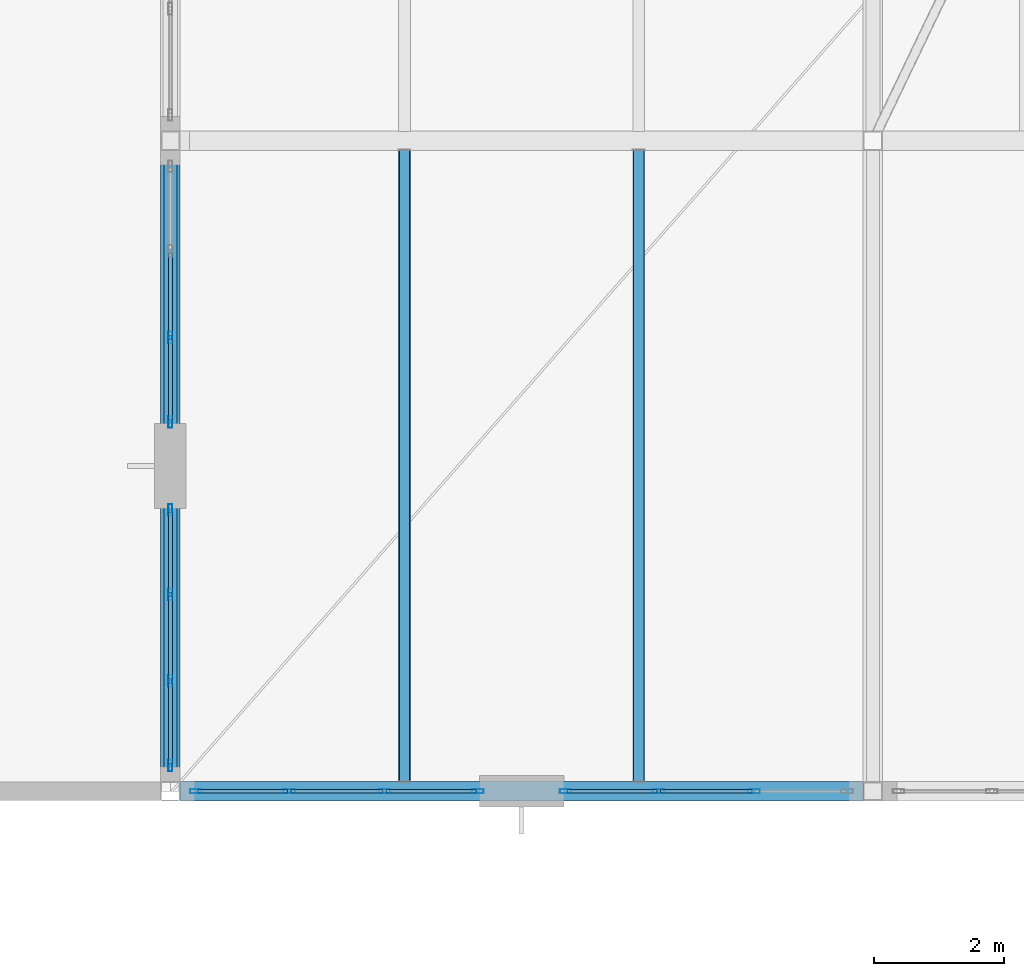
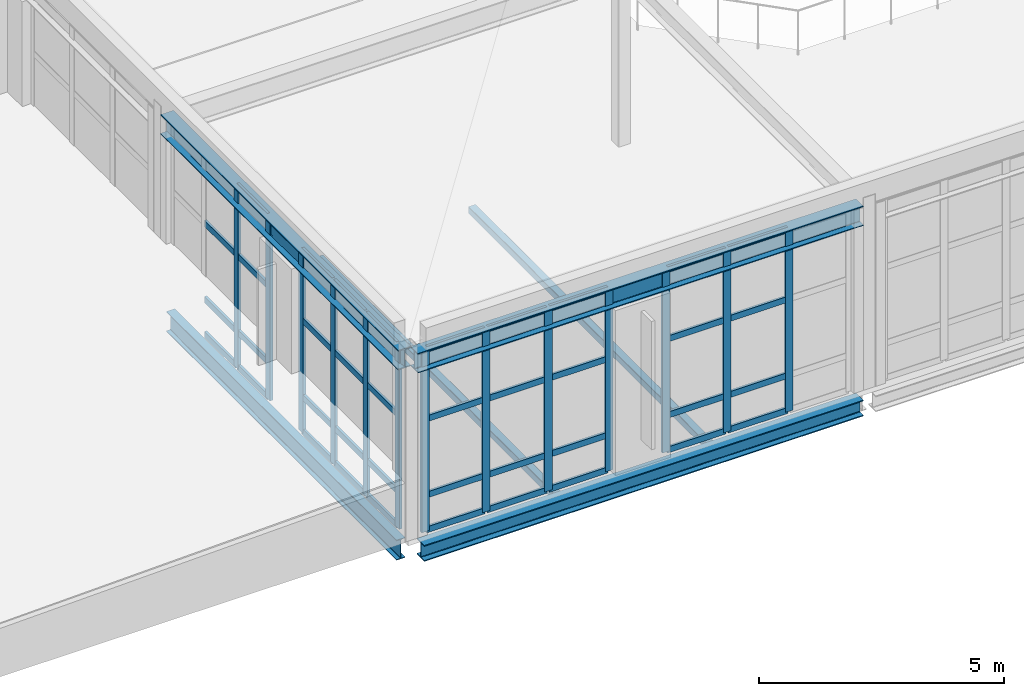
# One storey, part 11 of 86: 52 members, 6 beams, 4 elements without a shape of their own.
"""IFC4 building model written with IfcOpenShell, lengths in metres."""

from ifc_helpers import new_model, si_unit, direction, frame, origin, origin_2d, place, context, subcontext, project, spatial, hollow_rectangle, i_section, extrude, material, layer, layer_set, material_profile, profile_set, type_object, element, aggregate, save


model = new_model("IFC4")

# Units and contexts
model_context = context("Model", 3, precision=1e-05, world=origin(), true_north=direction((0.0, 1.0)))
body_context = subcontext(model_context, "Body", "Model", "MODEL_VIEW")
ifc_project = project(units=[si_unit("LENGTHUNIT", "METRE"), si_unit("AREAUNIT", "SQUARE_METRE"), si_unit("VOLUMEUNIT", "CUBIC_METRE"), si_unit("PLANEANGLEUNIT", "RADIAN"), si_unit("MASSUNIT", "GRAM", prefix="KILO")], contexts=[model_context])

# Site, building, storey
site_placement = place(None, origin())
site = spatial("IfcSite", under=ifc_project, at=site_placement, CompositionType="ELEMENT")
building_placement = place(site_placement, origin())
building = spatial("IfcBuilding", under=site, at=building_placement, Name="Tasgan Crest Museum", CompositionType="ELEMENT")
storey_placement = place(building_placement, frame((0.0, 0.0, 24.0)))
storey = spatial("IfcBuildingStorey", under=building, at=storey_placement, Name="L04", CompositionType="ELEMENT", Elevation=24.0)

# Beams
ifc_material_1 = material(Name="Steel S355J2", Category="steel")
ifc_material_profile_1 = material_profile(ifc_material_1, i_section(OverallWidth=0.300048828125, OverallDepth=0.489990234375, WebThickness=0.011962890625, FlangeThickness=0.02294921875, FilletRadius=0.027099609375, at=origin_2d()), Name="HEA 500")
ifc_profile_set_1 = profile_set([ifc_material_profile_1], Name="Steel S355J2")
beam_type_1 = type_object("IfcBeamType", Name="BM-G-HEA500", PredefinedType="BEAM", material=ifc_profile_set_1)
beam_1_placement = place(storey_placement, frame((54.14599609375, 40.0, 4.35498046875), z_axis=(1.0, 0.0, 0.0), x_axis=(0.0, 1.0, 0.0)))
element("IfcBeam", 1, at=beam_1_placement, inside=storey, type_object=beam_type_1, Name="Winter-garden roof girder E 54.0-64.8", PredefinedType="BEAM", context=body_context, shape_type="SweptSolid", body=[
    extrude(i_section(OverallWidth=0.300048828125, OverallDepth=0.489990234375, WebThickness=0.011962890625, FlangeThickness=0.02294921875, FilletRadius=0.027099609375, at=origin_2d()), origin(), (0.0, 0.0, 1.0), 10.508056640625),
])
beam_2_placement = place(storey_placement, frame((54.0, 40.14599609375, 4.35498046875), z_axis=(0.0, 1.0, 0.0), x_axis=(-1.0, 0.0, 0.0)))
element("IfcBeam", 2, at=beam_2_placement, inside=storey, type_object=beam_type_1, Name="Winter-garden roof beam 6 40-50", PredefinedType="BEAM", context=body_context, shape_type="SweptSolid", body=[
    extrude(i_section(OverallWidth=0.300048828125, OverallDepth=0.489990234375, WebThickness=0.011962890625, FlangeThickness=0.02294921875, FilletRadius=0.027099609375, at=origin_2d()), origin(), (0.0, 0.0, 1.0), 9.7080078125),
])
ifc_material_2 = material(Name="Steel S355J2", Category="steel")
ifc_material_profile_2 = material_profile(ifc_material_2, i_section(OverallWidth=0.300048828125, OverallDepth=0.39990234375, WebThickness=0.013427734375, FlangeThickness=0.02392578125, FilletRadius=0.027099609375, at=origin_2d()), Name="HEB 400")
ifc_profile_set_2 = profile_set([ifc_material_profile_2], Name="Steel S355J2")
beam_type_2 = type_object("IfcBeamType", Name="BM-G-HEB400", PredefinedType="BEAM", material=ifc_profile_set_2)
beam_3_placement = place(storey_placement, frame((54.2958984375, 40.0, -0.43994140625), z_axis=(1.0, 0.0, 0.0), x_axis=(0.0, 1.0, 0.0)))
element("IfcBeam", 3, at=beam_3_placement, inside=storey, type_object=beam_type_2, Name="Girder L04 E 54.0-64.8", PredefinedType="BEAM", context=body_context, shape_type="SweptSolid", body=[
    extrude(i_section(OverallWidth=0.300048828125, OverallDepth=0.39990234375, WebThickness=0.013427734375, FlangeThickness=0.02392578125, FilletRadius=0.027099609375, at=origin_2d()), origin(), (0.0, 0.0, 1.0), 10.358154296875),
])
ifc_material_3 = material(Name="Steel S355J2", Category="steel")
ifc_material_profile_3 = material_profile(ifc_material_3, i_section(OverallWidth=0.199951171875, OverallDepth=0.5, WebThickness=0.01025390625, FlangeThickness=0.01611328125, FilletRadius=0.02099609375, at=origin_2d()), Name="IPE 500")
ifc_profile_set_3 = profile_set([ifc_material_profile_3], Name="Steel S355J2")
beam_type_3 = type_object("IfcBeamType", Name="BM-G-IPE500", PredefinedType="BEAM", material=ifc_profile_set_3)
beam_4_placement = place(storey_placement, frame((54.0, 40.294921875, -0.489990234375), z_axis=(0.0, 1.0, 0.0), x_axis=(-1.0, 0.0, 0.0)))
element("IfcBeam", 4, at=beam_4_placement, inside=storey, type_object=beam_type_3, Name="Beam L04 6 40.0-50.0", PredefinedType="BEAM", context=body_context, shape_type="SweptSolid", body=[
    extrude(i_section(OverallWidth=0.199951171875, OverallDepth=0.5, WebThickness=0.01025390625, FlangeThickness=0.01611328125, FilletRadius=0.02099609375, at=origin_2d()), origin(), (0.0, 0.0, 1.0), 9.41015625),
])
ifc_material_4 = material(Name="Steel S355J2", Category="steel")
ifc_material_profile_4 = material_profile(ifc_material_4, hollow_rectangle(XDim=0.179931640625, YDim=0.179931640625, WallThickness=0.010009765625, InnerFilletRadius=0.010009765625, OuterFilletRadius=0.02001953125, at=origin_2d()), Name="SHS 180x180x10")
ifc_profile_set_4 = profile_set([ifc_material_profile_4], Name="Steel S355J2")
beam_type_4 = type_object("IfcBeamType", Name="BM-J-SHS180", PredefinedType="JOIST", material=ifc_profile_set_4)
for number, where, z_axis, x_axis, name in (
    (5, (57.60009765625, 40.14501953125, -0.330078125), (0.0, 1.0, 0.0), (-1.0, 0.0, 0.0), "Secondary joist L04 X=57.6 Y=40.0-50.0"),
    (6, (61.199951171875, 40.14501953125, -0.330078125), (0.0, 1.0, 0.0), (-1.0, 0.0, 0.0), "Secondary joist L04 X=61.2 Y=40.0-50.0"),
):
    element("IfcBeam", number, at=place(storey_placement, frame(where, z_axis=z_axis, x_axis=x_axis)), inside=storey, type_object=beam_type_4, Name=name, PredefinedType="JOIST", context=body_context, shape_type="SweptSolid", body=[
        extrude(hollow_rectangle(XDim=0.179931640625, YDim=0.179931640625, WallThickness=0.010009765625, InnerFilletRadius=0.010009765625, OuterFilletRadius=0.02001953125, at=origin_2d()), origin(), (0.0, 0.0, 1.0), 9.7099609375),
    ])

# Curtain wall, members
ifc_material_5 = material(Name="Triple-Glazed Aluminium Curtain Wall", Category="aluminium")
ifc_layer_1 = layer(ifc_material_5, 0.179931640625, Name="CW-DRUM-Y10-48")
ifc_layer_set_1 = layer_set([ifc_layer_1], Name="Triple-Glazed Aluminium Curtain Wall")
curtain_wall_type_1 = type_object("IfcCurtainWallType", Name="CW-DRUM-Y10-48", PredefinedType="NOTDEFINED", material=ifc_layer_set_1)
curtain_wall_1_placement = place(storey_placement, origin())
curtain_wall_1 = element("IfcCurtainWall", 7, at=curtain_wall_1_placement, inside=storey, type_object=curtain_wall_type_1, Name="Curtain wall L04 183", PredefinedType="NOTDEFINED")
ifc_material_6 = material(Name="Anodised Aluminium", Category="aluminium")
ifc_material_profile_5 = material_profile(ifc_material_6, hollow_rectangle(XDim=0.06494140625, YDim=0.179931640625, WallThickness=0.0048828125, at=origin_2d()), Name="ALU MULLION 180x65x5")
ifc_profile_set_5 = profile_set([ifc_material_profile_5], Name="Anodised Aluminium")
member_type_1 = type_object("IfcMemberType", Name="CW-MULLION-180", PredefinedType="MULLION", material=ifc_profile_set_5)
member_1_placement = place(storey_placement, frame((54.0, 46.97509765625, 0.0), z_axis=(0.0, 0.0, 1.0), x_axis=(1.0, 0.0, 0.0)))
member_1 = element("IfcMember", 8, at=member_1_placement, type_object=member_type_1, Name="CW04 mullion 3", PredefinedType="MULLION", context=body_context, shape_type="SweptSolid", body=[
    extrude(hollow_rectangle(XDim=0.06494140625, YDim=0.179931640625, WallThickness=0.0048828125, at=origin_2d()), origin(), (0.0, 0.0, 1.0), 4.56005859375),
])
member_2_placement = place(storey_placement, frame((54.0, 45.675048828125, 0.0), z_axis=(0.0, 0.0, 1.0), x_axis=(1.0, 0.0, 0.0)))
member_2 = element("IfcMember", 9, at=member_2_placement, type_object=member_type_1, Name="CW04 mullion 4", PredefinedType="MULLION", context=body_context, shape_type="SweptSolid", body=[
    extrude(hollow_rectangle(XDim=0.06494140625, YDim=0.179931640625, WallThickness=0.0048828125, at=origin_2d()), origin(), (0.0, 0.0, 1.0), 4.56005859375),
])

curtain_wall_2_placement = place(storey_placement, origin())
curtain_wall_2 = element("IfcCurtainWall", 10, at=curtain_wall_2_placement, inside=storey, type_object=curtain_wall_type_1, Name="Curtain wall L04 184", PredefinedType="NOTDEFINED")
member_3_placement = place(storey_placement, frame((54.0, 44.324951171875, 0.0), z_axis=(0.0, 0.0, 1.0), x_axis=(1.0, 0.0, 0.0)))
member_3 = element("IfcMember", 11, at=member_3_placement, type_object=member_type_1, Name="CW04 mullion 1", PredefinedType="MULLION", context=body_context, shape_type="SweptSolid", body=[
    extrude(hollow_rectangle(XDim=0.06494140625, YDim=0.179931640625, WallThickness=0.0048828125, at=origin_2d()), origin(), (0.0, 0.0, 1.0), 4.56005859375),
])
member_4_placement = place(storey_placement, frame((54.0, 43.02490234375, 0.0), z_axis=(0.0, 0.0, 1.0), x_axis=(1.0, 0.0, 0.0)))
member_4 = element("IfcMember", 12, at=member_4_placement, type_object=member_type_1, Name="CW04 mullion 2", PredefinedType="MULLION", context=body_context, shape_type="SweptSolid", body=[
    extrude(hollow_rectangle(XDim=0.06494140625, YDim=0.179931640625, WallThickness=0.0048828125, at=origin_2d()), origin(), (0.0, 0.0, 1.0), 4.56005859375),
])
member_5_placement = place(storey_placement, frame((54.0, 41.695068359375, 0.0), z_axis=(0.0, 0.0, 1.0), x_axis=(1.0, 0.0, 0.0)))
member_5 = element("IfcMember", 13, at=member_5_placement, type_object=member_type_1, Name="CW04 mullion 3", PredefinedType="MULLION", context=body_context, shape_type="SweptSolid", body=[
    extrude(hollow_rectangle(XDim=0.06494140625, YDim=0.179931640625, WallThickness=0.0048828125, at=origin_2d()), origin(), (0.0, 0.0, 1.0), 4.56005859375),
])
member_6_placement = place(storey_placement, frame((54.0, 40.39501953125, 0.0), z_axis=(0.0, 0.0, 1.0), x_axis=(1.0, 0.0, 0.0)))
member_6 = element("IfcMember", 14, at=member_6_placement, type_object=member_type_1, Name="CW04 mullion 4", PredefinedType="MULLION", context=body_context, shape_type="SweptSolid", body=[
    extrude(hollow_rectangle(XDim=0.06494140625, YDim=0.179931640625, WallThickness=0.0048828125, at=origin_2d()), origin(), (0.0, 0.0, 1.0), 4.56005859375),
])

ifc_material_7 = material(Name="Triple-Glazed Aluminium Curtain Wall", Category="aluminium")
ifc_layer_2 = layer(ifc_material_7, 0.179931640625, Name="CW-DRUM-X-48")
ifc_layer_set_2 = layer_set([ifc_layer_2], Name="Triple-Glazed Aluminium Curtain Wall")
curtain_wall_type_2 = type_object("IfcCurtainWallType", Name="CW-DRUM-X-48", PredefinedType="NOTDEFINED", material=ifc_layer_set_2)
curtain_wall_3_placement = place(storey_placement, origin())
curtain_wall_3 = element("IfcCurtainWall", 15, at=curtain_wall_3_placement, inside=storey, type_object=curtain_wall_type_2, Name="Curtain wall L04 185", PredefinedType="NOTDEFINED")
member_7_placement = place(storey_placement, frame((54.39501953125, 40.0, 0.0), z_axis=(0.0, 0.0, 1.0), x_axis=(0.0, 1.0, 0.0)))
member_7 = element("IfcMember", 16, at=member_7_placement, type_object=member_type_1, Name="CW03 mullion 1", PredefinedType="MULLION", context=body_context, shape_type="SweptSolid", body=[
    extrude(hollow_rectangle(XDim=0.06494140625, YDim=0.179931640625, WallThickness=0.0048828125, at=origin_2d()), origin(), (0.0, 0.0, 1.0), 4.56005859375),
])
member_8_placement = place(storey_placement, frame((55.828369140625, 40.0, 0.0), z_axis=(0.0, 0.0, 1.0), x_axis=(0.0, 1.0, 0.0)))
member_8 = element("IfcMember", 17, at=member_8_placement, type_object=member_type_1, Name="CW03 mullion 2", PredefinedType="MULLION", context=body_context, shape_type="SweptSolid", body=[
    extrude(hollow_rectangle(XDim=0.06494140625, YDim=0.179931640625, WallThickness=0.0048828125, at=origin_2d()), origin(), (0.0, 0.0, 1.0), 4.56005859375),
])
member_9_placement = place(storey_placement, frame((57.291748046875, 40.0, 0.0), z_axis=(0.0, 0.0, 1.0), x_axis=(0.0, 1.0, 0.0)))
member_9 = element("IfcMember", 18, at=member_9_placement, type_object=member_type_1, Name="CW03 mullion 3", PredefinedType="MULLION", context=body_context, shape_type="SweptSolid", body=[
    extrude(hollow_rectangle(XDim=0.06494140625, YDim=0.179931640625, WallThickness=0.0048828125, at=origin_2d()), origin(), (0.0, 0.0, 1.0), 4.56005859375),
])
member_10_placement = place(storey_placement, frame((58.72509765625, 40.0, 0.0), z_axis=(0.0, 0.0, 1.0), x_axis=(0.0, 1.0, 0.0)))
member_10 = element("IfcMember", 19, at=member_10_placement, type_object=member_type_1, Name="CW03 mullion 4", PredefinedType="MULLION", context=body_context, shape_type="SweptSolid", body=[
    extrude(hollow_rectangle(XDim=0.06494140625, YDim=0.179931640625, WallThickness=0.0048828125, at=origin_2d()), origin(), (0.0, 0.0, 1.0), 4.56005859375),
])

curtain_wall_4_placement = place(storey_placement, origin())
curtain_wall_4 = element("IfcCurtainWall", 20, at=curtain_wall_4_placement, inside=storey, type_object=curtain_wall_type_2, Name="Curtain wall L04 186", PredefinedType="NOTDEFINED")
member_11_placement = place(storey_placement, frame((60.074951171875, 40.0, 0.0), z_axis=(0.0, 0.0, 1.0), x_axis=(0.0, 1.0, 0.0)))
member_11 = element("IfcMember", 21, at=member_11_placement, type_object=member_type_1, Name="CW03 mullion 1", PredefinedType="MULLION", context=body_context, shape_type="SweptSolid", body=[
    extrude(hollow_rectangle(XDim=0.06494140625, YDim=0.179931640625, WallThickness=0.0048828125, at=origin_2d()), origin(), (0.0, 0.0, 1.0), 4.56005859375),
])
member_12_placement = place(storey_placement, frame((61.50830078125, 40.0, 0.0), z_axis=(0.0, 0.0, 1.0), x_axis=(0.0, 1.0, 0.0)))
member_12 = element("IfcMember", 22, at=member_12_placement, type_object=member_type_1, Name="CW03 mullion 2", PredefinedType="MULLION", context=body_context, shape_type="SweptSolid", body=[
    extrude(hollow_rectangle(XDim=0.06494140625, YDim=0.179931640625, WallThickness=0.0048828125, at=origin_2d()), origin(), (0.0, 0.0, 1.0), 4.56005859375),
])
member_13_placement = place(storey_placement, frame((62.9716796875, 40.0, 0.0), z_axis=(0.0, 0.0, 1.0), x_axis=(0.0, 1.0, 0.0)))
member_13 = element("IfcMember", 23, at=member_13_placement, type_object=member_type_1, Name="CW03 mullion 3", PredefinedType="MULLION", context=body_context, shape_type="SweptSolid", body=[
    extrude(hollow_rectangle(XDim=0.06494140625, YDim=0.179931640625, WallThickness=0.0048828125, at=origin_2d()), origin(), (0.0, 0.0, 1.0), 4.56005859375),
])

# Member
ifc_material_8 = material(Name="Anodised Aluminium", Category="aluminium")
ifc_material_profile_6 = material_profile(ifc_material_8, hollow_rectangle(XDim=0.06005859375, YDim=0.14990234375, WallThickness=0.0048828125, at=origin_2d()), Name="ALU TRANSOM 150x60x5")
ifc_profile_set_6 = profile_set([ifc_material_profile_6], Name="Anodised Aluminium")
member_type_2 = type_object("IfcMemberType", Name="CW-TRANSOM-150", PredefinedType="USERDEFINED", material=ifc_profile_set_6)
member_14_placement = place(storey_placement, frame((54.0, 48.27490234375, 0.030029296875), z_axis=(0.0, -1.0, 0.0), x_axis=(1.0, 0.0, 0.0)))
member_14 = element("IfcMember", 24, at=member_14_placement, type_object=member_type_2, Name="CW04 transom 2.1", ObjectType="TRANSOM", PredefinedType="USERDEFINED", context=body_context, shape_type="SweptSolid", body=[
    extrude(hollow_rectangle(XDim=0.06005859375, YDim=0.14990234375, WallThickness=0.0048828125, at=origin_2d()), origin(), (0.0, 0.0, 1.0), 1.27001953125),
])

member_15_placement = place(storey_placement, frame((54.0, 48.27490234375, 0.89990234375), z_axis=(0.0, -1.0, 0.0), x_axis=(1.0, 0.0, 0.0)))
member_15 = element("IfcMember", 25, at=member_15_placement, type_object=member_type_2, Name="CW04 transom 2.2", ObjectType="TRANSOM", PredefinedType="USERDEFINED", context=body_context, shape_type="SweptSolid", body=[
    extrude(hollow_rectangle(XDim=0.06005859375, YDim=0.14990234375, WallThickness=0.0048828125, at=origin_2d()), origin(), (0.0, 0.0, 1.0), 1.27001953125),
])

member_16_placement = place(storey_placement, frame((54.0, 48.27490234375, 2.800048828125), z_axis=(0.0, -1.0, 0.0), x_axis=(1.0, 0.0, 0.0)))
member_16 = element("IfcMember", 26, at=member_16_placement, type_object=member_type_2, Name="CW04 transom 2.3", ObjectType="TRANSOM", PredefinedType="USERDEFINED", context=body_context, shape_type="SweptSolid", body=[
    extrude(hollow_rectangle(XDim=0.06005859375, YDim=0.14990234375, WallThickness=0.0048828125, at=origin_2d()), origin(), (0.0, 0.0, 1.0), 1.27001953125),
])

member_17_placement = place(storey_placement, frame((54.0, 46.945068359375, 0.030029296875), z_axis=(0.0, -1.0, 0.0), x_axis=(1.0, 0.0, 0.0)))
member_17 = element("IfcMember", 27, at=member_17_placement, type_object=member_type_2, Name="CW04 transom 3.1", ObjectType="TRANSOM", PredefinedType="USERDEFINED", context=body_context, shape_type="SweptSolid", body=[
    extrude(hollow_rectangle(XDim=0.06005859375, YDim=0.14990234375, WallThickness=0.0048828125, at=origin_2d()), origin(), (0.0, 0.0, 1.0), 1.239990234375),
])

member_18_placement = place(storey_placement, frame((54.0, 46.945068359375, 0.89990234375), z_axis=(0.0, -1.0, 0.0), x_axis=(1.0, 0.0, 0.0)))
member_18 = element("IfcMember", 28, at=member_18_placement, type_object=member_type_2, Name="CW04 transom 3.2", ObjectType="TRANSOM", PredefinedType="USERDEFINED", context=body_context, shape_type="SweptSolid", body=[
    extrude(hollow_rectangle(XDim=0.06005859375, YDim=0.14990234375, WallThickness=0.0048828125, at=origin_2d()), origin(), (0.0, 0.0, 1.0), 1.239990234375),
])

member_19_placement = place(storey_placement, frame((54.0, 46.945068359375, 2.800048828125), z_axis=(0.0, -1.0, 0.0), x_axis=(1.0, 0.0, 0.0)))
member_19 = element("IfcMember", 29, at=member_19_placement, type_object=member_type_2, Name="CW04 transom 3.3", ObjectType="TRANSOM", PredefinedType="USERDEFINED", context=body_context, shape_type="SweptSolid", body=[
    extrude(hollow_rectangle(XDim=0.06005859375, YDim=0.14990234375, WallThickness=0.0048828125, at=origin_2d()), origin(), (0.0, 0.0, 1.0), 1.239990234375),
])

member_20_placement = place(storey_placement, frame((54.0, 46.945068359375, 4.530029296875), z_axis=(0.0, -1.0, 0.0), x_axis=(1.0, 0.0, 0.0)))
member_20 = element("IfcMember", 30, at=member_20_placement, type_object=member_type_2, Name="CW04 transom 3.4", ObjectType="TRANSOM", PredefinedType="USERDEFINED", context=body_context, shape_type="SweptSolid", body=[
    extrude(hollow_rectangle(XDim=0.06005859375, YDim=0.14990234375, WallThickness=0.0048828125, at=origin_2d()), origin(), (0.0, 0.0, 1.0), 1.239990234375),
])

aggregate(curtain_wall_1, [member_1, member_2, member_14, member_15, member_16, member_17, member_18, member_19, member_20])

member_21_placement = place(storey_placement, frame((54.0, 44.294921875, 0.030029296875), z_axis=(0.0, -1.0, 0.0), x_axis=(1.0, 0.0, 0.0)))
member_21 = element("IfcMember", 31, at=member_21_placement, type_object=member_type_2, Name="CW04 transom 1.1", ObjectType="TRANSOM", PredefinedType="USERDEFINED", context=body_context, shape_type="SweptSolid", body=[
    extrude(hollow_rectangle(XDim=0.06005859375, YDim=0.14990234375, WallThickness=0.0048828125, at=origin_2d()), origin(), (0.0, 0.0, 1.0), 1.239990234375),
])

member_22_placement = place(storey_placement, frame((54.0, 44.294921875, 0.89990234375), z_axis=(0.0, -1.0, 0.0), x_axis=(1.0, 0.0, 0.0)))
member_22 = element("IfcMember", 32, at=member_22_placement, type_object=member_type_2, Name="CW04 transom 1.2", ObjectType="TRANSOM", PredefinedType="USERDEFINED", context=body_context, shape_type="SweptSolid", body=[
    extrude(hollow_rectangle(XDim=0.06005859375, YDim=0.14990234375, WallThickness=0.0048828125, at=origin_2d()), origin(), (0.0, 0.0, 1.0), 1.239990234375),
])

member_23_placement = place(storey_placement, frame((54.0, 44.294921875, 2.800048828125), z_axis=(0.0, -1.0, 0.0), x_axis=(1.0, 0.0, 0.0)))
member_23 = element("IfcMember", 33, at=member_23_placement, type_object=member_type_2, Name="CW04 transom 1.3", ObjectType="TRANSOM", PredefinedType="USERDEFINED", context=body_context, shape_type="SweptSolid", body=[
    extrude(hollow_rectangle(XDim=0.06005859375, YDim=0.14990234375, WallThickness=0.0048828125, at=origin_2d()), origin(), (0.0, 0.0, 1.0), 1.239990234375),
])

member_24_placement = place(storey_placement, frame((54.0, 44.294921875, 4.530029296875), z_axis=(0.0, -1.0, 0.0), x_axis=(1.0, 0.0, 0.0)))
member_24 = element("IfcMember", 34, at=member_24_placement, type_object=member_type_2, Name="CW04 transom 1.4", ObjectType="TRANSOM", PredefinedType="USERDEFINED", context=body_context, shape_type="SweptSolid", body=[
    extrude(hollow_rectangle(XDim=0.06005859375, YDim=0.14990234375, WallThickness=0.0048828125, at=origin_2d()), origin(), (0.0, 0.0, 1.0), 1.239990234375),
])

member_25_placement = place(storey_placement, frame((54.0, 42.9951171875, 0.030029296875), z_axis=(0.0, -1.0, 0.0), x_axis=(1.0, 0.0, 0.0)))
member_25 = element("IfcMember", 35, at=member_25_placement, type_object=member_type_2, Name="CW04 transom 2.1", ObjectType="TRANSOM", PredefinedType="USERDEFINED", context=body_context, shape_type="SweptSolid", body=[
    extrude(hollow_rectangle(XDim=0.06005859375, YDim=0.14990234375, WallThickness=0.0048828125, at=origin_2d()), origin(), (0.0, 0.0, 1.0), 1.27001953125),
])

member_26_placement = place(storey_placement, frame((54.0, 42.9951171875, 0.89990234375), z_axis=(0.0, -1.0, 0.0), x_axis=(1.0, 0.0, 0.0)))
member_26 = element("IfcMember", 36, at=member_26_placement, type_object=member_type_2, Name="CW04 transom 2.2", ObjectType="TRANSOM", PredefinedType="USERDEFINED", context=body_context, shape_type="SweptSolid", body=[
    extrude(hollow_rectangle(XDim=0.06005859375, YDim=0.14990234375, WallThickness=0.0048828125, at=origin_2d()), origin(), (0.0, 0.0, 1.0), 1.27001953125),
])

member_27_placement = place(storey_placement, frame((54.0, 42.9951171875, 2.800048828125), z_axis=(0.0, -1.0, 0.0), x_axis=(1.0, 0.0, 0.0)))
member_27 = element("IfcMember", 37, at=member_27_placement, type_object=member_type_2, Name="CW04 transom 2.3", ObjectType="TRANSOM", PredefinedType="USERDEFINED", context=body_context, shape_type="SweptSolid", body=[
    extrude(hollow_rectangle(XDim=0.06005859375, YDim=0.14990234375, WallThickness=0.0048828125, at=origin_2d()), origin(), (0.0, 0.0, 1.0), 1.27001953125),
])

member_28_placement = place(storey_placement, frame((54.0, 42.9951171875, 4.530029296875), z_axis=(0.0, -1.0, 0.0), x_axis=(1.0, 0.0, 0.0)))
member_28 = element("IfcMember", 38, at=member_28_placement, type_object=member_type_2, Name="CW04 transom 2.4", ObjectType="TRANSOM", PredefinedType="USERDEFINED", context=body_context, shape_type="SweptSolid", body=[
    extrude(hollow_rectangle(XDim=0.06005859375, YDim=0.14990234375, WallThickness=0.0048828125, at=origin_2d()), origin(), (0.0, 0.0, 1.0), 1.27001953125),
])

member_29_placement = place(storey_placement, frame((54.0, 41.6650390625, 0.030029296875), z_axis=(0.0, -1.0, 0.0), x_axis=(1.0, 0.0, 0.0)))
member_29 = element("IfcMember", 39, at=member_29_placement, type_object=member_type_2, Name="CW04 transom 3.1", ObjectType="TRANSOM", PredefinedType="USERDEFINED", context=body_context, shape_type="SweptSolid", body=[
    extrude(hollow_rectangle(XDim=0.06005859375, YDim=0.14990234375, WallThickness=0.0048828125, at=origin_2d()), origin(), (0.0, 0.0, 1.0), 1.239990234375),
])

member_30_placement = place(storey_placement, frame((54.0, 41.6650390625, 0.89990234375), z_axis=(0.0, -1.0, 0.0), x_axis=(1.0, 0.0, 0.0)))
member_30 = element("IfcMember", 40, at=member_30_placement, type_object=member_type_2, Name="CW04 transom 3.2", ObjectType="TRANSOM", PredefinedType="USERDEFINED", context=body_context, shape_type="SweptSolid", body=[
    extrude(hollow_rectangle(XDim=0.06005859375, YDim=0.14990234375, WallThickness=0.0048828125, at=origin_2d()), origin(), (0.0, 0.0, 1.0), 1.239990234375),
])

member_31_placement = place(storey_placement, frame((54.0, 41.6650390625, 2.800048828125), z_axis=(0.0, -1.0, 0.0), x_axis=(1.0, 0.0, 0.0)))
member_31 = element("IfcMember", 41, at=member_31_placement, type_object=member_type_2, Name="CW04 transom 3.3", ObjectType="TRANSOM", PredefinedType="USERDEFINED", context=body_context, shape_type="SweptSolid", body=[
    extrude(hollow_rectangle(XDim=0.06005859375, YDim=0.14990234375, WallThickness=0.0048828125, at=origin_2d()), origin(), (0.0, 0.0, 1.0), 1.239990234375),
])

member_32_placement = place(storey_placement, frame((54.0, 41.6650390625, 4.530029296875), z_axis=(0.0, -1.0, 0.0), x_axis=(1.0, 0.0, 0.0)))
member_32 = element("IfcMember", 42, at=member_32_placement, type_object=member_type_2, Name="CW04 transom 3.4", ObjectType="TRANSOM", PredefinedType="USERDEFINED", context=body_context, shape_type="SweptSolid", body=[
    extrude(hollow_rectangle(XDim=0.06005859375, YDim=0.14990234375, WallThickness=0.0048828125, at=origin_2d()), origin(), (0.0, 0.0, 1.0), 1.239990234375),
])

aggregate(curtain_wall_2, [member_3, member_4, member_5, member_6, member_21, member_22, member_23, member_24, member_25, member_26, member_27, member_28, member_29, member_30, member_31, member_32])

member_33_placement = place(storey_placement, frame((54.425048828125, 40.0, 0.030029296875), z_axis=(1.0, 0.0, 0.0), x_axis=(0.0, 1.0, 0.0)))
member_33 = element("IfcMember", 43, at=member_33_placement, type_object=member_type_2, Name="CW03 transom 1.1", ObjectType="TRANSOM", PredefinedType="USERDEFINED", context=body_context, shape_type="SweptSolid", body=[
    extrude(hollow_rectangle(XDim=0.06005859375, YDim=0.14990234375, WallThickness=0.0048828125, at=origin_2d()), origin(), (0.0, 0.0, 1.0), 1.373291015625),
])

member_34_placement = place(storey_placement, frame((54.425048828125, 40.0, 0.89990234375), z_axis=(1.0, 0.0, 0.0), x_axis=(0.0, 1.0, 0.0)))
member_34 = element("IfcMember", 44, at=member_34_placement, type_object=member_type_2, Name="CW03 transom 1.2", ObjectType="TRANSOM", PredefinedType="USERDEFINED", context=body_context, shape_type="SweptSolid", body=[
    extrude(hollow_rectangle(XDim=0.06005859375, YDim=0.14990234375, WallThickness=0.0048828125, at=origin_2d()), origin(), (0.0, 0.0, 1.0), 1.373291015625),
])

member_35_placement = place(storey_placement, frame((54.425048828125, 40.0, 2.800048828125), z_axis=(1.0, 0.0, 0.0), x_axis=(0.0, 1.0, 0.0)))
member_35 = element("IfcMember", 45, at=member_35_placement, type_object=member_type_2, Name="CW03 transom 1.3", ObjectType="TRANSOM", PredefinedType="USERDEFINED", context=body_context, shape_type="SweptSolid", body=[
    extrude(hollow_rectangle(XDim=0.06005859375, YDim=0.14990234375, WallThickness=0.0048828125, at=origin_2d()), origin(), (0.0, 0.0, 1.0), 1.373291015625),
])

member_36_placement = place(storey_placement, frame((54.425048828125, 40.0, 4.530029296875), z_axis=(1.0, 0.0, 0.0), x_axis=(0.0, 1.0, 0.0)))
member_36 = element("IfcMember", 46, at=member_36_placement, type_object=member_type_2, Name="CW03 transom 1.4", ObjectType="TRANSOM", PredefinedType="USERDEFINED", context=body_context, shape_type="SweptSolid", body=[
    extrude(hollow_rectangle(XDim=0.06005859375, YDim=0.14990234375, WallThickness=0.0048828125, at=origin_2d()), origin(), (0.0, 0.0, 1.0), 1.373291015625),
])

member_37_placement = place(storey_placement, frame((55.8583984375, 40.0, 0.030029296875), z_axis=(1.0, 0.0, 0.0), x_axis=(0.0, 1.0, 0.0)))
member_37 = element("IfcMember", 47, at=member_37_placement, type_object=member_type_2, Name="CW03 transom 2.1", ObjectType="TRANSOM", PredefinedType="USERDEFINED", context=body_context, shape_type="SweptSolid", body=[
    extrude(hollow_rectangle(XDim=0.06005859375, YDim=0.14990234375, WallThickness=0.0048828125, at=origin_2d()), origin(), (0.0, 0.0, 1.0), 1.4033203125),
])

member_38_placement = place(storey_placement, frame((55.8583984375, 40.0, 0.89990234375), z_axis=(1.0, 0.0, 0.0), x_axis=(0.0, 1.0, 0.0)))
member_38 = element("IfcMember", 48, at=member_38_placement, type_object=member_type_2, Name="CW03 transom 2.2", ObjectType="TRANSOM", PredefinedType="USERDEFINED", context=body_context, shape_type="SweptSolid", body=[
    extrude(hollow_rectangle(XDim=0.06005859375, YDim=0.14990234375, WallThickness=0.0048828125, at=origin_2d()), origin(), (0.0, 0.0, 1.0), 1.4033203125),
])

member_39_placement = place(storey_placement, frame((55.8583984375, 40.0, 2.800048828125), z_axis=(1.0, 0.0, 0.0), x_axis=(0.0, 1.0, 0.0)))
member_39 = element("IfcMember", 49, at=member_39_placement, type_object=member_type_2, Name="CW03 transom 2.3", ObjectType="TRANSOM", PredefinedType="USERDEFINED", context=body_context, shape_type="SweptSolid", body=[
    extrude(hollow_rectangle(XDim=0.06005859375, YDim=0.14990234375, WallThickness=0.0048828125, at=origin_2d()), origin(), (0.0, 0.0, 1.0), 1.4033203125),
])

member_40_placement = place(storey_placement, frame((55.8583984375, 40.0, 4.530029296875), z_axis=(1.0, 0.0, 0.0), x_axis=(0.0, 1.0, 0.0)))
member_40 = element("IfcMember", 50, at=member_40_placement, type_object=member_type_2, Name="CW03 transom 2.4", ObjectType="TRANSOM", PredefinedType="USERDEFINED", context=body_context, shape_type="SweptSolid", body=[
    extrude(hollow_rectangle(XDim=0.06005859375, YDim=0.14990234375, WallThickness=0.0048828125, at=origin_2d()), origin(), (0.0, 0.0, 1.0), 1.4033203125),
])

member_41_placement = place(storey_placement, frame((57.32177734375, 40.0, 0.030029296875), z_axis=(1.0, 0.0, 0.0), x_axis=(0.0, 1.0, 0.0)))
member_41 = element("IfcMember", 51, at=member_41_placement, type_object=member_type_2, Name="CW03 transom 3.1", ObjectType="TRANSOM", PredefinedType="USERDEFINED", context=body_context, shape_type="SweptSolid", body=[
    extrude(hollow_rectangle(XDim=0.06005859375, YDim=0.14990234375, WallThickness=0.0048828125, at=origin_2d()), origin(), (0.0, 0.0, 1.0), 1.373291015625),
])

member_42_placement = place(storey_placement, frame((57.32177734375, 40.0, 0.89990234375), z_axis=(1.0, 0.0, 0.0), x_axis=(0.0, 1.0, 0.0)))
member_42 = element("IfcMember", 52, at=member_42_placement, type_object=member_type_2, Name="CW03 transom 3.2", ObjectType="TRANSOM", PredefinedType="USERDEFINED", context=body_context, shape_type="SweptSolid", body=[
    extrude(hollow_rectangle(XDim=0.06005859375, YDim=0.14990234375, WallThickness=0.0048828125, at=origin_2d()), origin(), (0.0, 0.0, 1.0), 1.373291015625),
])

member_43_placement = place(storey_placement, frame((57.32177734375, 40.0, 2.800048828125), z_axis=(1.0, 0.0, 0.0), x_axis=(0.0, 1.0, 0.0)))
member_43 = element("IfcMember", 53, at=member_43_placement, type_object=member_type_2, Name="CW03 transom 3.3", ObjectType="TRANSOM", PredefinedType="USERDEFINED", context=body_context, shape_type="SweptSolid", body=[
    extrude(hollow_rectangle(XDim=0.06005859375, YDim=0.14990234375, WallThickness=0.0048828125, at=origin_2d()), origin(), (0.0, 0.0, 1.0), 1.373291015625),
])

member_44_placement = place(storey_placement, frame((57.32177734375, 40.0, 4.530029296875), z_axis=(1.0, 0.0, 0.0), x_axis=(0.0, 1.0, 0.0)))
member_44 = element("IfcMember", 54, at=member_44_placement, type_object=member_type_2, Name="CW03 transom 3.4", ObjectType="TRANSOM", PredefinedType="USERDEFINED", context=body_context, shape_type="SweptSolid", body=[
    extrude(hollow_rectangle(XDim=0.06005859375, YDim=0.14990234375, WallThickness=0.0048828125, at=origin_2d()), origin(), (0.0, 0.0, 1.0), 1.373291015625),
])

aggregate(curtain_wall_3, [member_7, member_8, member_9, member_10, member_33, member_34, member_35, member_36, member_37, member_38, member_39, member_40, member_41, member_42, member_43, member_44])

member_45_placement = place(storey_placement, frame((60.10498046875, 40.0, 0.030029296875), z_axis=(1.0, 0.0, 0.0), x_axis=(0.0, 1.0, 0.0)))
member_45 = element("IfcMember", 55, at=member_45_placement, type_object=member_type_2, Name="CW03 transom 1.1", ObjectType="TRANSOM", PredefinedType="USERDEFINED", context=body_context, shape_type="SweptSolid", body=[
    extrude(hollow_rectangle(XDim=0.06005859375, YDim=0.14990234375, WallThickness=0.0048828125, at=origin_2d()), origin(), (0.0, 0.0, 1.0), 1.373291015625),
])

member_46_placement = place(storey_placement, frame((60.10498046875, 40.0, 0.89990234375), z_axis=(1.0, 0.0, 0.0), x_axis=(0.0, 1.0, 0.0)))
member_46 = element("IfcMember", 56, at=member_46_placement, type_object=member_type_2, Name="CW03 transom 1.2", ObjectType="TRANSOM", PredefinedType="USERDEFINED", context=body_context, shape_type="SweptSolid", body=[
    extrude(hollow_rectangle(XDim=0.06005859375, YDim=0.14990234375, WallThickness=0.0048828125, at=origin_2d()), origin(), (0.0, 0.0, 1.0), 1.373291015625),
])

member_47_placement = place(storey_placement, frame((60.10498046875, 40.0, 2.800048828125), z_axis=(1.0, 0.0, 0.0), x_axis=(0.0, 1.0, 0.0)))
member_47 = element("IfcMember", 57, at=member_47_placement, type_object=member_type_2, Name="CW03 transom 1.3", ObjectType="TRANSOM", PredefinedType="USERDEFINED", context=body_context, shape_type="SweptSolid", body=[
    extrude(hollow_rectangle(XDim=0.06005859375, YDim=0.14990234375, WallThickness=0.0048828125, at=origin_2d()), origin(), (0.0, 0.0, 1.0), 1.373291015625),
])

member_48_placement = place(storey_placement, frame((60.10498046875, 40.0, 4.530029296875), z_axis=(1.0, 0.0, 0.0), x_axis=(0.0, 1.0, 0.0)))
member_48 = element("IfcMember", 58, at=member_48_placement, type_object=member_type_2, Name="CW03 transom 1.4", ObjectType="TRANSOM", PredefinedType="USERDEFINED", context=body_context, shape_type="SweptSolid", body=[
    extrude(hollow_rectangle(XDim=0.06005859375, YDim=0.14990234375, WallThickness=0.0048828125, at=origin_2d()), origin(), (0.0, 0.0, 1.0), 1.373291015625),
])

member_49_placement = place(storey_placement, frame((61.538330078125, 40.0, 0.030029296875), z_axis=(1.0, 0.0, 0.0), x_axis=(0.0, 1.0, 0.0)))
member_49 = element("IfcMember", 59, at=member_49_placement, type_object=member_type_2, Name="CW03 transom 2.1", ObjectType="TRANSOM", PredefinedType="USERDEFINED", context=body_context, shape_type="SweptSolid", body=[
    extrude(hollow_rectangle(XDim=0.06005859375, YDim=0.14990234375, WallThickness=0.0048828125, at=origin_2d()), origin(), (0.0, 0.0, 1.0), 1.4033203125),
])

member_50_placement = place(storey_placement, frame((61.538330078125, 40.0, 0.89990234375), z_axis=(1.0, 0.0, 0.0), x_axis=(0.0, 1.0, 0.0)))
member_50 = element("IfcMember", 60, at=member_50_placement, type_object=member_type_2, Name="CW03 transom 2.2", ObjectType="TRANSOM", PredefinedType="USERDEFINED", context=body_context, shape_type="SweptSolid", body=[
    extrude(hollow_rectangle(XDim=0.06005859375, YDim=0.14990234375, WallThickness=0.0048828125, at=origin_2d()), origin(), (0.0, 0.0, 1.0), 1.4033203125),
])

member_51_placement = place(storey_placement, frame((61.538330078125, 40.0, 2.800048828125), z_axis=(1.0, 0.0, 0.0), x_axis=(0.0, 1.0, 0.0)))
member_51 = element("IfcMember", 61, at=member_51_placement, type_object=member_type_2, Name="CW03 transom 2.3", ObjectType="TRANSOM", PredefinedType="USERDEFINED", context=body_context, shape_type="SweptSolid", body=[
    extrude(hollow_rectangle(XDim=0.06005859375, YDim=0.14990234375, WallThickness=0.0048828125, at=origin_2d()), origin(), (0.0, 0.0, 1.0), 1.4033203125),
])

member_52_placement = place(storey_placement, frame((61.538330078125, 40.0, 4.530029296875), z_axis=(1.0, 0.0, 0.0), x_axis=(0.0, 1.0, 0.0)))
member_52 = element("IfcMember", 62, at=member_52_placement, type_object=member_type_2, Name="CW03 transom 2.4", ObjectType="TRANSOM", PredefinedType="USERDEFINED", context=body_context, shape_type="SweptSolid", body=[
    extrude(hollow_rectangle(XDim=0.06005859375, YDim=0.14990234375, WallThickness=0.0048828125, at=origin_2d()), origin(), (0.0, 0.0, 1.0), 1.4033203125),
])

aggregate(curtain_wall_4, [member_11, member_12, member_13, member_45, member_46, member_47, member_48, member_49, member_50, member_51, member_52])

save(model, "model.ifc")
